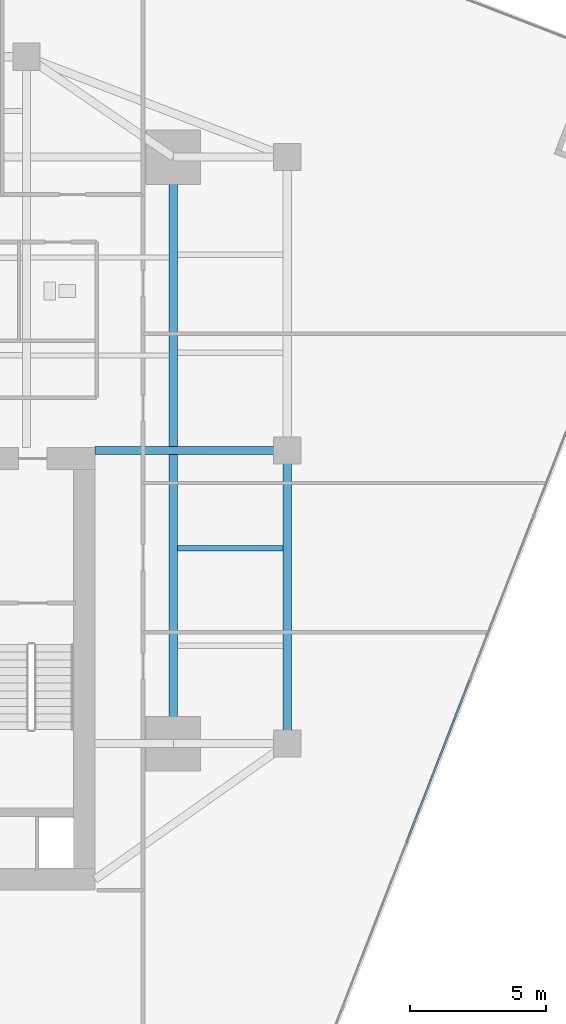
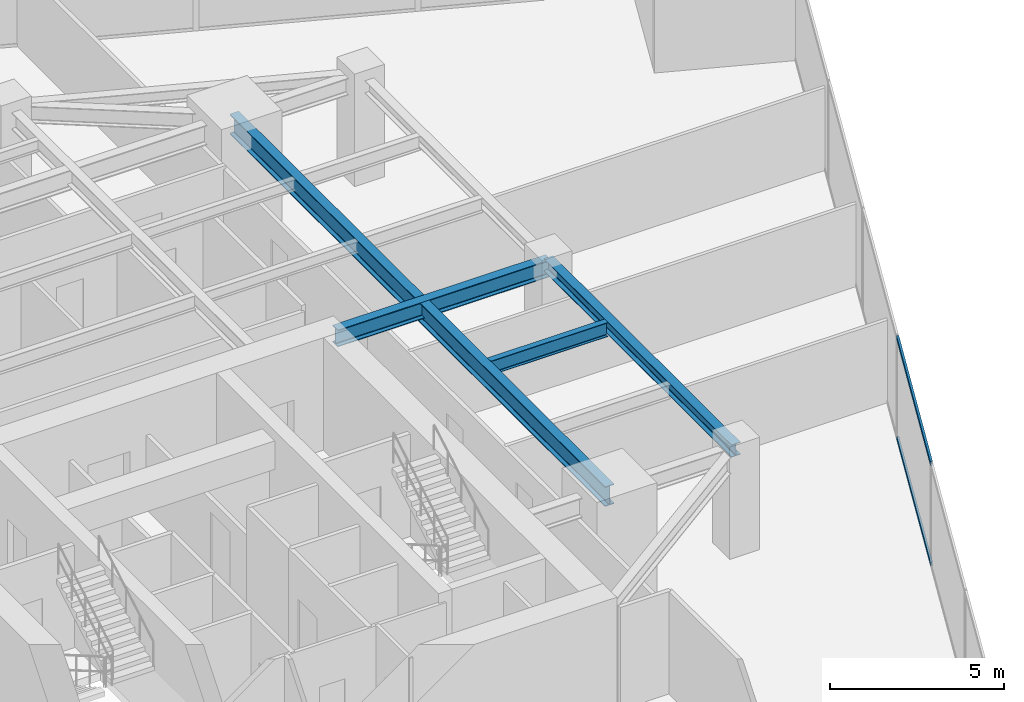
# One storey, part 11 of 26: 4 beams, 2 members, 1 element without a shape of its own.
"""IFC4 building model written with IfcOpenShell, lengths in metres."""

from ifc_helpers import new_model, si_unit, direction, frame, origin, origin_2d, place, context, subcontext, project, spatial, hollow_rectangle, i_section, extrude, source, transform, mapped, material, material_profile, profile_set, type_object, type_shapes, element, aggregate, save


model = new_model("IFC4")

# Units and contexts
model_context = context("Model", 3, precision=1e-05, world=origin(), true_north=direction((0.0, 1.0)))
body_context = subcontext(model_context, "Body", "Model", "MODEL_VIEW")
ifc_project = project(units=[si_unit("LENGTHUNIT", "METRE"), si_unit("AREAUNIT", "SQUARE_METRE"), si_unit("VOLUMEUNIT", "CUBIC_METRE"), si_unit("PLANEANGLEUNIT", "RADIAN"), si_unit("MASSUNIT", "GRAM", prefix="KILO")], contexts=[model_context])

# Site, building, storey
site_placement = place(None, origin())
site = spatial("IfcSite", under=ifc_project, at=site_placement, CompositionType="ELEMENT")
building_placement = place(site_placement, origin())
building = spatial("IfcBuilding", under=site, at=building_placement, Name="Krantzveldt Concourse Tower", CompositionType="ELEMENT")
storey_placement = place(building_placement, frame((0.0, 0.0, 137.449951171875)))
storey = spatial("IfcBuildingStorey", under=building, at=storey_placement, Name="L33", CompositionType="ELEMENT", Elevation=137.449951171875)

# Beams
ifc_material_1 = material(Name="Steel S355J2", Category="steel")
ifc_material_profile_1 = material_profile(ifc_material_1, i_section(OverallWidth=0.300048828125, OverallDepth=0.699951171875, WebThickness=0.01708984375, FlangeThickness=0.031982421875, FilletRadius=0.027099609375, at=origin_2d()), Name="Steel S355J2", Category="steel")
ifc_profile_set_1 = profile_set([ifc_material_profile_1], Name="Steel S355J2 - HEB 700")
beam_type_1 = type_object("IfcBeamType", Name="BM-B-HEB700", PredefinedType="BEAM", material=ifc_profile_set_1)
shared_shape_1 = source(origin(), body_context, "Body", "SweptSolid", [
    extrude(i_section(OverallWidth=0.300048828125, OverallDepth=0.699951171875, WebThickness=0.01708984375, FlangeThickness=0.031982421875, FilletRadius=0.027099609375, at=origin_2d()), origin(), (0.0, 0.0, 1.0), 21.60009765625),
])
type_shapes(beam_type_1, [shared_shape_1])
beam_1_placement = place(storey_placement, frame((46.800048828125, 15.89990234375, 3.25), z_axis=(0.0, 1.0, 0.0), x_axis=(-1.0, 0.0, 0.0)))
element("IfcBeam", 1, at=beam_1_placement, inside=storey, type_object=beam_type_1, Name="L33 Tower Girder BG-ME", PredefinedType="BEAM", context=body_context, shape_type="MappedRepresentation", body=[
    mapped(shared_shape_1, transform((0.0, 0.0, 0.0), x_axis=(1.0, 0.0, 0.0), y_axis=(0.0, 1.0, 0.0), z_axis=(0.0, 0.0, 1.0), scale=1.0)),
])
ifc_material_2 = material(Name="Steel S355JR", Category="steel")
ifc_material_profile_2 = material_profile(ifc_material_2, i_section(OverallWidth=0.300048828125, OverallDepth=0.590087890625, WebThickness=0.012939453125, FlangeThickness=0.02490234375, FilletRadius=0.027099609375, at=origin_2d()), Name="Steel S355JR", Category="steel")
ifc_profile_set_2 = profile_set([ifc_material_profile_2], Name="Steel S355JR - HEA 600")
beam_type_2 = type_object("IfcBeamType", Name="BM-B-HEA600", PredefinedType="BEAM", material=ifc_profile_set_2)
shared_shape_2 = source(origin(), body_context, "Body", "SweptSolid", [
    extrude(i_section(OverallWidth=0.300048828125, OverallDepth=0.590087890625, WebThickness=0.012939453125, FlangeThickness=0.02490234375, FilletRadius=0.027099609375, at=origin_2d()), origin(), (0.0, 0.0, 1.0), 7.080078125),
])
type_shapes(beam_type_2, [shared_shape_2])
beam_2_placement = place(storey_placement, frame((43.919921875, 26.699951171875, 3.304931640625), z_axis=(1.0, 0.0, 0.0), x_axis=(0.0, 1.0, 0.0)))
element("IfcBeam", 2, at=beam_2_placement, inside=storey, type_object=beam_type_2, Name="L33 Tower Girder BG-CE2", PredefinedType="BEAM", context=body_context, shape_type="MappedRepresentation", body=[
    mapped(shared_shape_2, transform((0.0, 0.0, 0.0), x_axis=(1.0, 0.0, 0.0), y_axis=(0.0, 1.0, 0.0), z_axis=(0.0, 0.0, 1.0), scale=1.0)),
])
ifc_material_profile_3 = material_profile(ifc_material_2, i_section(OverallWidth=0.300048828125, OverallDepth=0.43994140625, WebThickness=0.011474609375, FlangeThickness=0.02099609375, FilletRadius=0.027099609375, at=origin_2d()), Name="Steel S355JR", Category="steel")
ifc_profile_set_3 = profile_set([ifc_material_profile_3], Name="Steel S355JR - HEA 450")
beam_type_3 = type_object("IfcBeamType", Name="BM-SP-HEA450", PredefinedType="SPANDREL", material=ifc_profile_set_3)
shared_shape_3 = source(origin(), body_context, "Body", "SweptSolid", [
    extrude(i_section(OverallWidth=0.300048828125, OverallDepth=0.43994140625, WebThickness=0.011474609375, FlangeThickness=0.02099609375, FilletRadius=0.027099609375, at=origin_2d()), origin(), (0.0, 0.0, 1.0), 10.800048828125),
])
type_shapes(beam_type_3, [shared_shape_3])
beam_3_placement = place(storey_placement, frame((51.0, 26.699951171875, 3.380126953125), z_axis=(0.0, -1.0, 0.0), x_axis=(1.0, 0.0, 0.0)))
element("IfcBeam", 3, at=beam_3_placement, inside=storey, type_object=beam_type_3, Name="L33 Tower Girder SP-R07", PredefinedType="SPANDREL", context=body_context, shape_type="MappedRepresentation", body=[
    mapped(shared_shape_3, transform((0.0, 0.0, 0.0), x_axis=(1.0, 0.0, 0.0), y_axis=(0.0, 1.0, 0.0), z_axis=(0.0, 0.0, 1.0), scale=1.0)),
])
ifc_material_profile_4 = material_profile(ifc_material_2, i_section(OverallWidth=0.199951171875, OverallDepth=0.5, WebThickness=0.01025390625, FlangeThickness=0.01611328125, FilletRadius=0.02099609375, at=origin_2d()), Name="Steel S355JR", Category="steel")
ifc_profile_set_4 = profile_set([ifc_material_profile_4], Name="Steel S355JR - IPE 500")
beam_type_4 = type_object("IfcBeamType", Name="BM-J-IPE500", PredefinedType="JOIST", material=ifc_profile_set_4)
shared_shape_4 = source(origin(), body_context, "Body", "SweptSolid", [
    extrude(i_section(OverallWidth=0.199951171875, OverallDepth=0.5, WebThickness=0.01025390625, FlangeThickness=0.01611328125, FilletRadius=0.02099609375, at=origin_2d()), origin(), (0.0, 0.0, 1.0), 3.900146484375),
])
type_shapes(beam_type_4, [shared_shape_4])
beam_4_placement = place(storey_placement, frame((46.949951171875, 23.10009765625, 3.35009765625), z_axis=(1.0, 0.0, 0.0), x_axis=(0.0, 1.0, 0.0)))
element("IfcBeam", 4, at=beam_4_placement, inside=storey, type_object=beam_type_4, Name="L33 Secondary Floor Joist JE-2", PredefinedType="JOIST", context=body_context, shape_type="MappedRepresentation", body=[
    mapped(shared_shape_4, transform((0.0, 0.0, 0.0), x_axis=(1.0, 0.0, 0.0), y_axis=(0.0, 1.0, 0.0), z_axis=(0.0, 0.0, 1.0), scale=1.0)),
])

# Curtain wall, members
ifc_material_3 = material(Name="Anodised aluminium 6063-T6", Category="aluminium")
curtain_wall_type = type_object("IfcCurtainWallType", Name="CW2", PredefinedType="USERDEFINED", material=ifc_material_3)
curtain_wall_placement = place(storey_placement, origin())
curtain_wall = element("IfcCurtainWall", 5, at=curtain_wall_placement, inside=storey, type_object=curtain_wall_type, Name="CW-L33-F11", ObjectType="UNITISED CURTAIN WALL", PredefinedType="USERDEFINED")
ifc_material_profile_5 = material_profile(ifc_material_3, hollow_rectangle(XDim=0.070068359375, YDim=0.139892578125, WallThickness=0.0048828125, at=origin_2d()), Name="Anodised aluminium 6063-T6", Category="aluminium")
ifc_profile_set_5 = profile_set([ifc_material_profile_5], Name="Anodised aluminium 6063-T6 - ALU-TRAN 140x70x5")
member_type = type_object("IfcMemberType", Name="CW-TRN-150", PredefinedType="USERDEFINED", material=ifc_profile_set_5)
shared_shape_5 = source(origin(), body_context, "Body", "SweptSolid", [
    extrude(hollow_rectangle(XDim=0.070068359375, YDim=0.139892578125, WallThickness=0.0048828125, at=origin_2d()), origin(), (0.0, 0.0, 1.0), 6.396484375),
])
type_shapes(member_type, [shared_shape_5])
member_1_placement = place(storey_placement, frame((55.39404296875, 12.25732421875, 0.03515625), z_axis=(0.36243705186, 0.932008252882, 0.0), x_axis=(-0.932008252882, 0.36243705186, 0.0)))
member_1 = element("IfcMember", 6, at=member_1_placement, type_object=member_type, Name="CW-Z12 transom 3.1", ObjectType="TRANSOM", PredefinedType="USERDEFINED", context=body_context, shape_type="MappedRepresentation", body=[
    mapped(shared_shape_5, transform((0.0, 0.0, 0.0), x_axis=(1.0, 0.0, 0.0), y_axis=(0.0, 1.0, 0.0), z_axis=(0.0, 0.0, 1.0), scale=1.0)),
])
member_2_placement = place(storey_placement, frame((55.39404296875, 12.25732421875, 3.56494140625), z_axis=(0.36243705186, 0.932008252882, 0.0), x_axis=(-0.932008252882, 0.36243705186, 0.0)))
member_2 = element("IfcMember", 7, at=member_2_placement, type_object=member_type, Name="CW-Z12 transom 3.2", ObjectType="TRANSOM", PredefinedType="USERDEFINED", context=body_context, shape_type="MappedRepresentation", body=[
    mapped(shared_shape_5, transform((0.0, 0.0, 0.0), x_axis=(1.0, 0.0, 0.0), y_axis=(0.0, 1.0, 0.0), z_axis=(0.0, 0.0, 1.0), scale=1.0)),
])
aggregate(curtain_wall, [member_1, member_2])

save(model, "model.ifc")
